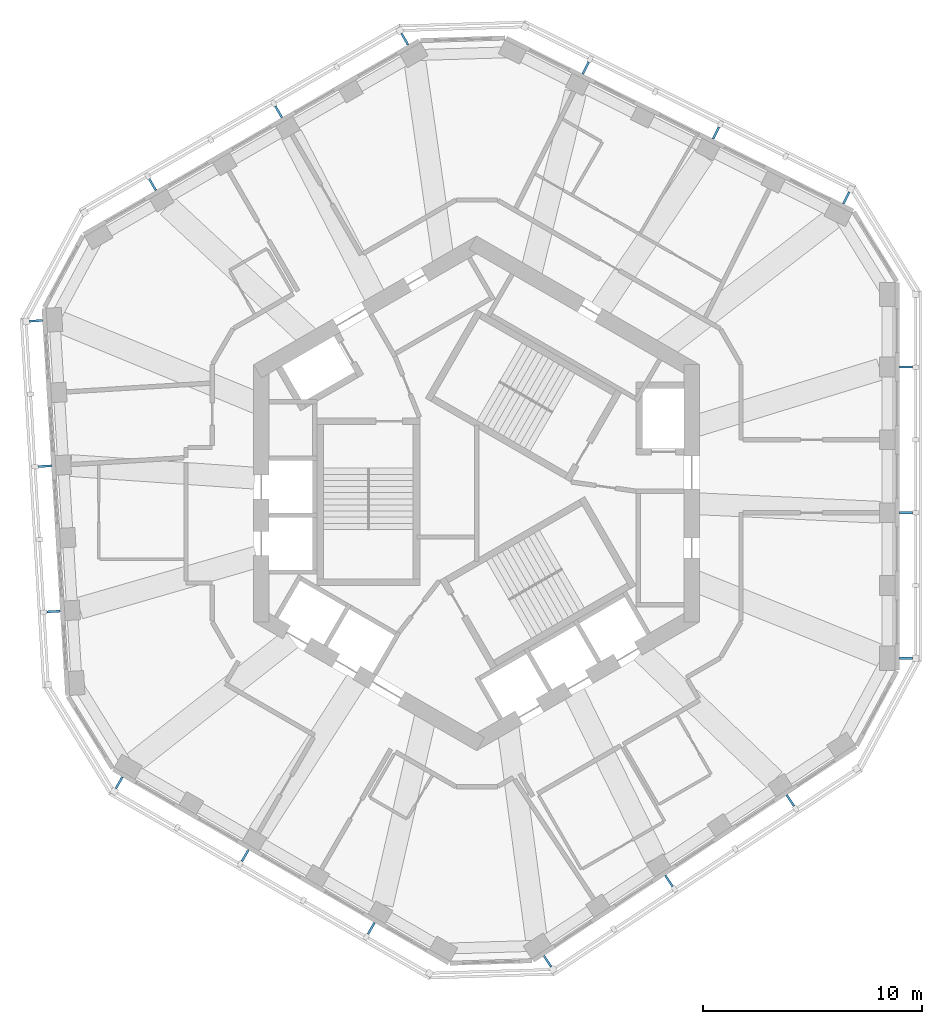
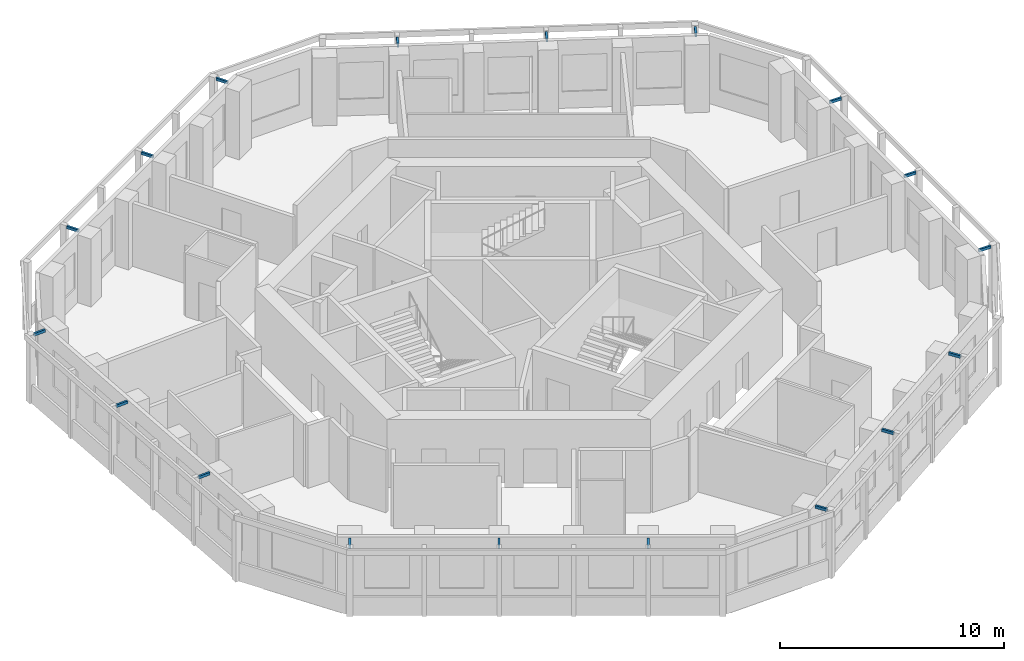
# One storey, part 9 of 10: 18 discrete accessories.
"""IFC4 building model written with IfcOpenShell, lengths in metres."""

from ifc_helpers import new_model, si_unit, direction, frame, origin, origin_2d, place, context, subcontext, project, spatial, rectangle, extrude, material, type_object, element, save


model = new_model("IFC4")

# Units and contexts
model_context = context("Model", 3, precision=1e-05, world=origin(), true_north=direction((0.0, 1.0)))
body_context = subcontext(model_context, "Body", "Model", "MODEL_VIEW")
ifc_project = project(units=[si_unit("LENGTHUNIT", "METRE"), si_unit("AREAUNIT", "SQUARE_METRE"), si_unit("VOLUMEUNIT", "CUBIC_METRE"), si_unit("PLANEANGLEUNIT", "RADIAN"), si_unit("MASSUNIT", "GRAM", prefix="KILO")], contexts=[model_context])

# Site, building, storey
site_placement = place(None, origin())
site = spatial("IfcSite", under=ifc_project, at=site_placement, CompositionType="ELEMENT")
building_placement = place(site_placement, origin())
building = spatial("IfcBuilding", under=site, at=building_placement, Name="Vanh Sen Convention Tower", CompositionType="ELEMENT")
storey_placement = place(building_placement, frame((0.0, 0.0, 263.5)))
storey = spatial("IfcBuildingStorey", under=building, at=storey_placement, Name="L65", CompositionType="ELEMENT", Elevation=263.5)

# Discrete accessories
ifc_material = material(Name="Steel S355", Category="steel")
discrete_accessory_type = type_object("IfcDiscreteAccessoryType", Name="Fin bracket 100 x 150", PredefinedType="BRACKET", material=ifc_material)
for number, where, z_axis, x_axis, name in (
    (1, (19.64990234375, -7.546630859375, 3.5), (0.0, 0.0, 1.0), (1.0, 0.0, 0.0), "Fin bracket E-1 L65"),
    (2, (19.64990234375, -0.88330078125, 3.5), (0.0, 0.0, 1.0), (1.0, 0.0, 0.0), "Fin bracket E-3 L65"),
    (3, (19.64990234375, 5.77978515625, 3.5), (0.0, 0.0, 1.0), (1.0, 0.0, 0.0), "Fin bracket E-5 L65"),
    (4, (16.922119140625, 13.52001953125, 3.5), (0.0, 0.0, 1.0), (0.44619781311, 0.894934361602, 0.0), "Fin bracket NE-1 L65"),
    (5, (10.958740234375, 16.4931640625, 3.5), (0.0, 0.0, 1.0), (0.44619781311, 0.894934361602, 0.0), "Fin bracket NE-3 L65"),
    (6, (4.99560546875, 19.46630859375, 3.5), (0.0, 0.0, 1.0), (0.44619781311, 0.894934361602, 0.0), "Fin bracket NE-5 L65"),
    (7, (-3.289306640625, 20.790771484375, 3.5), (0.0, 0.0, 1.0), (-0.5, 0.866025403784, 0.0), "Fin bracket NW-1 L65"),
    (8, (-9.059814453125, 17.458984375, 3.5), (0.0, 0.0, 1.0), (-0.5, 0.866025403784, 0.0), "Fin bracket NW-3 L65"),
    (9, (-14.83056640625, 14.12744140625, 3.5), (0.0, 0.0, 1.0), (-0.5, 0.866025403784, 0.0), "Fin bracket NW-5 L65"),
    (10, (-20.169677734375, 7.89501953125, 3.5), (0.0, 0.0, 1.0), (-0.998134798422, -0.061048539535, 0.0), "Fin bracket W-1 L65"),
    (11, (-19.7626953125, 1.243896484375, 3.5), (0.0, 0.0, 1.0), (-0.998134798422, -0.061048539535, 0.0), "Fin bracket W-3 L65"),
    (12, (-19.35595703125, -5.40673828125, 3.5), (0.0, 0.0, 1.0), (-0.998134798422, -0.061048539535, 0.0), "Fin bracket W-5 L65"),
    (13, (-16.360595703125, -13.243896484375, 3.5), (0.0, 0.0, 1.0), (-0.5, -0.866025403784, 0.0), "Fin bracket SW-1 L65"),
    (14, (-10.590087890625, -16.57568359375, 3.5), (0.0, 0.0, 1.0), (-0.5, -0.866025403784, 0.0), "Fin bracket SW-3 L65"),
    (15, (-4.819580078125, -19.9072265625, 3.5), (0.0, 0.0, 1.0), (-0.5, -0.866025403784, 0.0), "Fin bracket SW-5 L65"),
    (16, (3.24755859375, -21.414794921875, 3.5), (0.0, 0.0, 1.0), (0.551936985312, -0.833885822067, 0.0), "Fin bracket SE-1 L65"),
    (17, (8.803955078125, -17.737060546875, 3.5), (0.0, 0.0, 1.0), (0.551936985312, -0.833885822067, 0.0), "Fin bracket SE-3 L65"),
    (18, (14.3603515625, -14.059326171875, 3.5), (0.0, 0.0, 1.0), (0.551936985312, -0.833885822067, 0.0), "Fin bracket SE-5 L65"),
):
    element("IfcDiscreteAccessory", number, at=place(storey_placement, frame(where, z_axis=z_axis, x_axis=x_axis)), inside=storey, type_object=discrete_accessory_type, Name=name, PredefinedType="BRACKET", context=body_context, shape_type="SweptSolid", body=[
        extrude(rectangle(XDim=0.60009765625, YDim=0.10009765625, at=origin_2d()), origin(), (0.0, 0.0, 1.0), 0.14990234375),
    ])

save(model, "model.ifc")
